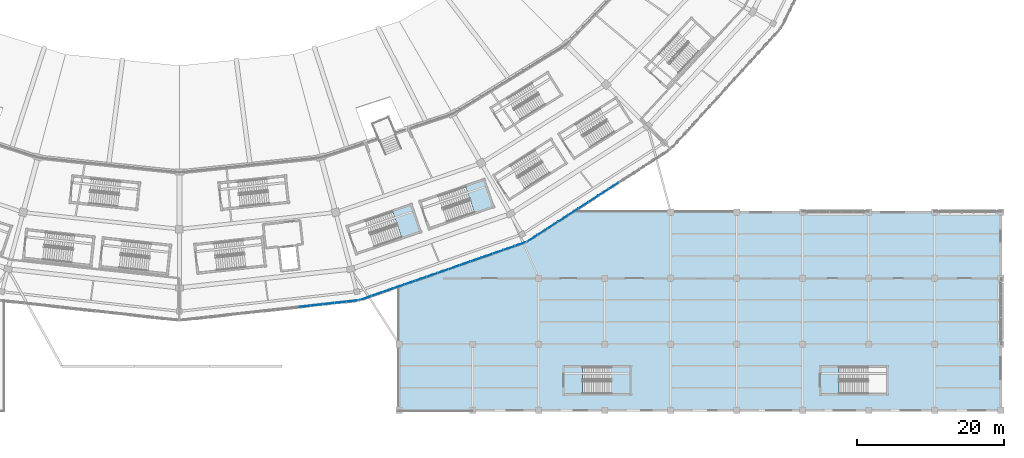
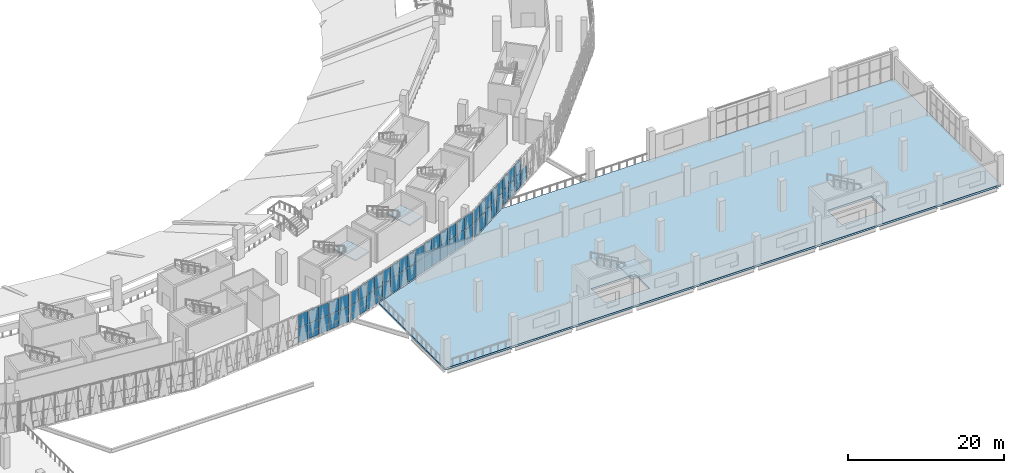
# One storey, part 79 of 183: 57 plates, 4 slabs, 6 elements without a shape of their own.
"""IFC4 building model written with IfcOpenShell, lengths in metres."""

from ifc_helpers import new_model, si_unit, direction, frame, origin, origin_2d, place, context, subcontext, project, spatial, polyline, rectangle, outline, extrude, material, layer, layer_set, type_object, element, aggregate, save


model = new_model("IFC4")

# Units and contexts
model_context = context("Model", 3, precision=1e-05, world=origin(), true_north=direction((0.0, 1.0)))
body_context = subcontext(model_context, "Body", "Model", "MODEL_VIEW")
ifc_project = project(units=[si_unit("LENGTHUNIT", "METRE"), si_unit("AREAUNIT", "SQUARE_METRE"), si_unit("VOLUMEUNIT", "CUBIC_METRE"), si_unit("PLANEANGLEUNIT", "RADIAN"), si_unit("MASSUNIT", "GRAM", prefix="KILO")], contexts=[model_context])

# Site, building, storey
site_placement = place(None, origin())
site = spatial("IfcSite", under=ifc_project, at=site_placement, CompositionType="ELEMENT")
building_placement = place(site_placement, origin())
building = spatial("IfcBuilding", under=site, at=building_placement, Name="Zevraka Park Crest Stadium", CompositionType="ELEMENT")
storey_placement = place(building_placement, frame((0.0, 0.0, 5.39990234375)))
storey = spatial("IfcBuildingStorey", under=building, at=storey_placement, Name="L01", CompositionType="ELEMENT", Elevation=5.39990234375)

# Curtain wall, plates
ifc_material_1 = material(Name="Anodised architectural aluminium and laminated safety glass", Category="aluminium")
curtain_wall_type_1 = type_object("IfcCurtainWallType", Name="CW01", PredefinedType="NOTDEFINED", material=ifc_material_1)
curtain_wall_1_placement = place(storey_placement, origin())
curtain_wall_1 = element("IfcCurtainWall", 1, at=curtain_wall_1_placement, inside=storey, type_object=curtain_wall_type_1, Name="Unitised Ring Curtain Wall CW01 L01-18", PredefinedType="NOTDEFINED")
ifc_material_2 = material(Name="Solar-control laminated double glazing", Category="glass")
ifc_layer_1 = layer(ifc_material_2, 0.028076171875)
ifc_layer_set_1 = layer_set([ifc_layer_1], Name="Solar-control laminated double glazing")
plate_type_1 = type_object("IfcPlateType", Name="CP01", PredefinedType="CURTAIN_PANEL", material=ifc_layer_set_1)
plate_1_placement = place(storey_placement, frame((129.110595703125, 14.176513671875, 0.06005859375), z_axis=(0.0, 0.0, 1.0), x_axis=(0.993916668414, 0.110134718639, 0.0)))
plate_1 = element("IfcPlate", 2, at=plate_1_placement, type_object=plate_type_1, Name="CW01 panel 11.1", PredefinedType="CURTAIN_PANEL", context=body_context, shape_type="SweptSolid", body=[
    extrude(rectangle(XDim=1.567138671875, YDim=0.028076171875, at=origin_2d()), origin(), (0.0, 0.0, 1.0), 2.31005859375),
])
plate_2_placement = place(storey_placement, frame((129.110595703125, 14.176513671875, 2.43017578125), z_axis=(0.0, 0.0, 1.0), x_axis=(0.993916668414, 0.110134718639, 0.0)))
plate_2 = element("IfcPlate", 3, at=plate_2_placement, type_object=plate_type_1, Name="CW01 panel 11.2", PredefinedType="CURTAIN_PANEL", context=body_context, shape_type="SweptSolid", body=[
    extrude(rectangle(XDim=1.567138671875, YDim=0.028076171875, at=origin_2d()), origin(), (0.0, 0.0, 1.0), 2.030029296875),
])
plate_3_placement = place(storey_placement, frame((130.727783203125, 14.355712890625, 0.06005859375), z_axis=(0.0, 0.0, 1.0), x_axis=(0.993916668414, 0.110134718639, 0.0)))
plate_3 = element("IfcPlate", 4, at=plate_3_placement, type_object=plate_type_1, Name="CW01 panel 12.1", PredefinedType="CURTAIN_PANEL", context=body_context, shape_type="SweptSolid", body=[
    extrude(rectangle(XDim=1.567138671875, YDim=0.028076171875, at=origin_2d()), origin(), (0.0, 0.0, 1.0), 2.31005859375),
])
plate_4_placement = place(storey_placement, frame((130.727783203125, 14.355712890625, 2.43017578125), z_axis=(0.0, 0.0, 1.0), x_axis=(0.993916668414, 0.110134718639, 0.0)))
plate_4 = element("IfcPlate", 5, at=plate_4_placement, type_object=plate_type_1, Name="CW01 panel 12.2", PredefinedType="CURTAIN_PANEL", context=body_context, shape_type="SweptSolid", body=[
    extrude(rectangle(XDim=1.567138671875, YDim=0.028076171875, at=origin_2d()), origin(), (0.0, 0.0, 1.0), 2.030029296875),
])
plate_5_placement = place(storey_placement, frame((132.344970703125, 14.534912109375, 0.06005859375), z_axis=(0.0, 0.0, 1.0), x_axis=(0.993916668414, 0.110134718639, 0.0)))
plate_5 = element("IfcPlate", 6, at=plate_5_placement, type_object=plate_type_1, Name="CW01 panel 13.1", PredefinedType="CURTAIN_PANEL", context=body_context, shape_type="SweptSolid", body=[
    extrude(rectangle(XDim=1.567138671875, YDim=0.028076171875, at=origin_2d()), origin(), (0.0, 0.0, 1.0), 2.31005859375),
])
plate_6_placement = place(storey_placement, frame((132.344970703125, 14.534912109375, 2.43017578125), z_axis=(0.0, 0.0, 1.0), x_axis=(0.993916668414, 0.110134718639, 0.0)))
plate_6 = element("IfcPlate", 7, at=plate_6_placement, type_object=plate_type_1, Name="CW01 panel 13.2", PredefinedType="CURTAIN_PANEL", context=body_context, shape_type="SweptSolid", body=[
    extrude(rectangle(XDim=1.567138671875, YDim=0.028076171875, at=origin_2d()), origin(), (0.0, 0.0, 1.0), 2.030029296875),
])
plate_7_placement = place(storey_placement, frame((133.962158203125, 14.714111328125, 0.06005859375), z_axis=(0.0, 0.0, 1.0), x_axis=(0.993916668414, 0.110134718639, 0.0)))
plate_7 = element("IfcPlate", 8, at=plate_7_placement, type_object=plate_type_1, Name="CW01 panel 14.1", PredefinedType="CURTAIN_PANEL", context=body_context, shape_type="SweptSolid", body=[
    extrude(rectangle(XDim=1.567138671875, YDim=0.028076171875, at=origin_2d()), origin(), (0.0, 0.0, 1.0), 2.31005859375),
])
plate_8_placement = place(storey_placement, frame((133.962158203125, 14.714111328125, 2.43017578125), z_axis=(0.0, 0.0, 1.0), x_axis=(0.993916668414, 0.110134718639, 0.0)))
plate_8 = element("IfcPlate", 9, at=plate_8_placement, type_object=plate_type_1, Name="CW01 panel 14.2", PredefinedType="CURTAIN_PANEL", context=body_context, shape_type="SweptSolid", body=[
    extrude(rectangle(XDim=1.567138671875, YDim=0.028076171875, at=origin_2d()), origin(), (0.0, 0.0, 1.0), 2.030029296875),
])
plate_9_placement = place(storey_placement, frame((135.564453125, 14.891845703125, 0.06005859375), z_axis=(0.0, 0.0, 1.0), x_axis=(0.993916668414, 0.110134718639, 0.0)))
plate_9 = element("IfcPlate", 10, at=plate_9_placement, type_object=plate_type_1, Name="CW01 panel 15.1", PredefinedType="CURTAIN_PANEL", context=body_context, shape_type="SweptSolid", body=[
    extrude(rectangle(XDim=1.537109375, YDim=0.028076171875, at=origin_2d()), origin(), (0.0, 0.0, 1.0), 2.31005859375),
])
plate_10_placement = place(storey_placement, frame((135.564453125, 14.891845703125, 2.43017578125), z_axis=(0.0, 0.0, 1.0), x_axis=(0.993916668414, 0.110134718639, 0.0)))
plate_10 = element("IfcPlate", 11, at=plate_10_placement, type_object=plate_type_1, Name="CW01 panel 15.2", PredefinedType="CURTAIN_PANEL", context=body_context, shape_type="SweptSolid", body=[
    extrude(rectangle(XDim=1.537109375, YDim=0.028076171875, at=origin_2d()), origin(), (0.0, 0.0, 1.0), 2.030029296875),
])
aggregate(curtain_wall_1, [plate_1, plate_2, plate_3, plate_4, plate_5, plate_6, plate_7, plate_8, plate_9, plate_10])

ifc_material_3 = material(Name="Anodised architectural aluminium and laminated safety glass", Category="aluminium")
curtain_wall_type_2 = type_object("IfcCurtainWallType", Name="CW02", PredefinedType="NOTDEFINED", material=ifc_material_3)
curtain_wall_2_placement = place(storey_placement, origin())
curtain_wall_2 = element("IfcCurtainWall", 12, at=curtain_wall_2_placement, inside=storey, type_object=curtain_wall_type_2, Name="Unitised Ring Curtain Wall CW02 L01-19", PredefinedType="NOTDEFINED")
ifc_material_4 = material(Name="Solar-control laminated double glazing", Category="glass")
ifc_layer_2 = layer(ifc_material_4, 0.028076171875)
ifc_layer_set_2 = layer_set([ifc_layer_2], Name="Solar-control laminated double glazing")
plate_type_2 = type_object("IfcPlateType", Name="CP02", PredefinedType="CURTAIN_PANEL", material=ifc_layer_set_2)
plate_11_placement = place(storey_placement, frame((137.41064453125, 15.30908203125, 0.06494140625), z_axis=(0.0, 0.0, 1.0), x_axis=(0.944256979565, 0.329209289879, 0.0)))
plate_11 = element("IfcPlate", 13, at=plate_11_placement, type_object=plate_type_2, Name="CW02 panel 1.1", PredefinedType="CURTAIN_PANEL", context=body_context, shape_type="SweptSolid", body=[
    extrude(rectangle(XDim=1.498046875, YDim=0.028076171875, at=origin_2d()), origin(), (0.0, 0.0, 1.0), 2.302490234375),
])
plate_12_placement = place(storey_placement, frame((137.41064453125, 15.30908203125, 2.4326171875), z_axis=(0.0, 0.0, 1.0), x_axis=(0.944256979565, 0.329209289879, 0.0)))
plate_12 = element("IfcPlate", 14, at=plate_12_placement, type_object=plate_type_2, Name="CW02 panel 1.2", PredefinedType="CURTAIN_PANEL", context=body_context, shape_type="SweptSolid", body=[
    extrude(rectangle(XDim=1.498046875, YDim=0.028076171875, at=origin_2d()), origin(), (0.0, 0.0, 1.0), 2.0224609375),
])
plate_13_placement = place(storey_placement, frame((138.90185546875, 15.828857421875, 0.06494140625), z_axis=(0.0, 0.0, 1.0), x_axis=(0.944256979565, 0.329209289879, 0.0)))
plate_13 = element("IfcPlate", 15, at=plate_13_placement, type_object=plate_type_2, Name="CW02 panel 2.1", PredefinedType="CURTAIN_PANEL", context=body_context, shape_type="SweptSolid", body=[
    extrude(rectangle(XDim=1.530517578125, YDim=0.028076171875, at=origin_2d()), origin(), (0.0, 0.0, 1.0), 2.302490234375),
])
plate_14_placement = place(storey_placement, frame((138.90185546875, 15.828857421875, 2.4326171875), z_axis=(0.0, 0.0, 1.0), x_axis=(0.944256979565, 0.329209289879, 0.0)))
plate_14 = element("IfcPlate", 16, at=plate_14_placement, type_object=plate_type_2, Name="CW02 panel 2.2", PredefinedType="CURTAIN_PANEL", context=body_context, shape_type="SweptSolid", body=[
    extrude(rectangle(XDim=1.530517578125, YDim=0.028076171875, at=origin_2d()), origin(), (0.0, 0.0, 1.0), 2.0224609375),
])
plate_15_placement = place(storey_placement, frame((140.408447265625, 16.354248046875, 0.06494140625), z_axis=(0.0, 0.0, 1.0), x_axis=(0.944256979565, 0.329209289879, 0.0)))
plate_15 = element("IfcPlate", 17, at=plate_15_placement, type_object=plate_type_2, Name="CW02 panel 3.1", PredefinedType="CURTAIN_PANEL", context=body_context, shape_type="SweptSolid", body=[
    extrude(rectangle(XDim=1.530517578125, YDim=0.028076171875, at=origin_2d()), origin(), (0.0, 0.0, 1.0), 2.302490234375),
])
plate_16_placement = place(storey_placement, frame((140.408447265625, 16.354248046875, 2.4326171875), z_axis=(0.0, 0.0, 1.0), x_axis=(0.944256979565, 0.329209289879, 0.0)))
plate_16 = element("IfcPlate", 18, at=plate_16_placement, type_object=plate_type_2, Name="CW02 panel 3.2", PredefinedType="CURTAIN_PANEL", context=body_context, shape_type="SweptSolid", body=[
    extrude(rectangle(XDim=1.530517578125, YDim=0.028076171875, at=origin_2d()), origin(), (0.0, 0.0, 1.0), 2.0224609375),
])
plate_17_placement = place(storey_placement, frame((141.9150390625, 16.87939453125, 0.06494140625), z_axis=(0.0, 0.0, 1.0), x_axis=(0.944256979565, 0.329209289879, 0.0)))
plate_17 = element("IfcPlate", 19, at=plate_17_placement, type_object=plate_type_2, Name="CW02 panel 4.1", PredefinedType="CURTAIN_PANEL", context=body_context, shape_type="SweptSolid", body=[
    extrude(rectangle(XDim=1.530517578125, YDim=0.028076171875, at=origin_2d()), origin(), (0.0, 0.0, 1.0), 2.302490234375),
])
plate_18_placement = place(storey_placement, frame((141.9150390625, 16.87939453125, 2.4326171875), z_axis=(0.0, 0.0, 1.0), x_axis=(0.944256979565, 0.329209289879, 0.0)))
plate_18 = element("IfcPlate", 20, at=plate_18_placement, type_object=plate_type_2, Name="CW02 panel 4.2", PredefinedType="CURTAIN_PANEL", context=body_context, shape_type="SweptSolid", body=[
    extrude(rectangle(XDim=1.530517578125, YDim=0.028076171875, at=origin_2d()), origin(), (0.0, 0.0, 1.0), 2.0224609375),
])
plate_19_placement = place(storey_placement, frame((143.421630859375, 17.40478515625, 0.06494140625), z_axis=(0.0, 0.0, 1.0), x_axis=(0.944256979565, 0.329209289879, 0.0)))
plate_19 = element("IfcPlate", 21, at=plate_19_placement, type_object=plate_type_2, Name="CW02 panel 5.1", PredefinedType="CURTAIN_PANEL", context=body_context, shape_type="SweptSolid", body=[
    extrude(rectangle(XDim=1.530517578125, YDim=0.028076171875, at=origin_2d()), origin(), (0.0, 0.0, 1.0), 2.302490234375),
])
plate_20_placement = place(storey_placement, frame((143.421630859375, 17.40478515625, 2.4326171875), z_axis=(0.0, 0.0, 1.0), x_axis=(0.944256979565, 0.329209289879, 0.0)))
plate_20 = element("IfcPlate", 22, at=plate_20_placement, type_object=plate_type_2, Name="CW02 panel 5.2", PredefinedType="CURTAIN_PANEL", context=body_context, shape_type="SweptSolid", body=[
    extrude(rectangle(XDim=1.530517578125, YDim=0.028076171875, at=origin_2d()), origin(), (0.0, 0.0, 1.0), 2.0224609375),
])
plate_21_placement = place(storey_placement, frame((144.92822265625, 17.929931640625, 0.06494140625), z_axis=(0.0, 0.0, 1.0), x_axis=(0.944256979565, 0.329209289879, 0.0)))
plate_21 = element("IfcPlate", 23, at=plate_21_placement, type_object=plate_type_2, Name="CW02 panel 6.1", PredefinedType="CURTAIN_PANEL", context=body_context, shape_type="SweptSolid", body=[
    extrude(rectangle(XDim=1.530517578125, YDim=0.028076171875, at=origin_2d()), origin(), (0.0, 0.0, 1.0), 2.302490234375),
])
plate_22_placement = place(storey_placement, frame((144.92822265625, 17.929931640625, 2.4326171875), z_axis=(0.0, 0.0, 1.0), x_axis=(0.944256979565, 0.329209289879, 0.0)))
plate_22 = element("IfcPlate", 24, at=plate_22_placement, type_object=plate_type_2, Name="CW02 panel 6.2", PredefinedType="CURTAIN_PANEL", context=body_context, shape_type="SweptSolid", body=[
    extrude(rectangle(XDim=1.530517578125, YDim=0.028076171875, at=origin_2d()), origin(), (0.0, 0.0, 1.0), 2.0224609375),
])
plate_23_placement = place(storey_placement, frame((146.434814453125, 18.455322265625, 0.06494140625), z_axis=(0.0, 0.0, 1.0), x_axis=(0.944256979565, 0.329209289879, 0.0)))
plate_23 = element("IfcPlate", 25, at=plate_23_placement, type_object=plate_type_2, Name="CW02 panel 7.1", PredefinedType="CURTAIN_PANEL", context=body_context, shape_type="SweptSolid", body=[
    extrude(rectangle(XDim=1.530517578125, YDim=0.028076171875, at=origin_2d()), origin(), (0.0, 0.0, 1.0), 2.302490234375),
])
plate_24_placement = place(storey_placement, frame((146.434814453125, 18.455322265625, 2.4326171875), z_axis=(0.0, 0.0, 1.0), x_axis=(0.944256979565, 0.329209289879, 0.0)))
plate_24 = element("IfcPlate", 26, at=plate_24_placement, type_object=plate_type_2, Name="CW02 panel 7.2", PredefinedType="CURTAIN_PANEL", context=body_context, shape_type="SweptSolid", body=[
    extrude(rectangle(XDim=1.530517578125, YDim=0.028076171875, at=origin_2d()), origin(), (0.0, 0.0, 1.0), 2.0224609375),
])
plate_25_placement = place(storey_placement, frame((147.94140625, 18.98046875, 0.06494140625), z_axis=(0.0, 0.0, 1.0), x_axis=(0.944256979565, 0.329209289879, 0.0)))
plate_25 = element("IfcPlate", 27, at=plate_25_placement, type_object=plate_type_2, Name="CW02 panel 8.1", PredefinedType="CURTAIN_PANEL", context=body_context, shape_type="SweptSolid", body=[
    extrude(rectangle(XDim=1.530517578125, YDim=0.028076171875, at=origin_2d()), origin(), (0.0, 0.0, 1.0), 2.302490234375),
])
plate_26_placement = place(storey_placement, frame((147.94140625, 18.98046875, 2.4326171875), z_axis=(0.0, 0.0, 1.0), x_axis=(0.944256979565, 0.329209289879, 0.0)))
plate_26 = element("IfcPlate", 28, at=plate_26_placement, type_object=plate_type_2, Name="CW02 panel 8.2", PredefinedType="CURTAIN_PANEL", context=body_context, shape_type="SweptSolid", body=[
    extrude(rectangle(XDim=1.530517578125, YDim=0.028076171875, at=origin_2d()), origin(), (0.0, 0.0, 1.0), 2.0224609375),
])
plate_27_placement = place(storey_placement, frame((149.447998046875, 19.505859375, 0.06494140625), z_axis=(0.0, 0.0, 1.0), x_axis=(0.944256979565, 0.329209289879, 0.0)))
plate_27 = element("IfcPlate", 29, at=plate_27_placement, type_object=plate_type_2, Name="CW02 panel 9.1", PredefinedType="CURTAIN_PANEL", context=body_context, shape_type="SweptSolid", body=[
    extrude(rectangle(XDim=1.530517578125, YDim=0.028076171875, at=origin_2d()), origin(), (0.0, 0.0, 1.0), 2.302490234375),
])
plate_28_placement = place(storey_placement, frame((149.447998046875, 19.505859375, 2.4326171875), z_axis=(0.0, 0.0, 1.0), x_axis=(0.944256979565, 0.329209289879, 0.0)))
plate_28 = element("IfcPlate", 30, at=plate_28_placement, type_object=plate_type_2, Name="CW02 panel 9.2", PredefinedType="CURTAIN_PANEL", context=body_context, shape_type="SweptSolid", body=[
    extrude(rectangle(XDim=1.530517578125, YDim=0.028076171875, at=origin_2d()), origin(), (0.0, 0.0, 1.0), 2.0224609375),
])
plate_29_placement = place(storey_placement, frame((150.95458984375, 20.031005859375, 0.06494140625), z_axis=(0.0, 0.0, 1.0), x_axis=(0.944256979565, 0.329209289879, 0.0)))
plate_29 = element("IfcPlate", 31, at=plate_29_placement, type_object=plate_type_2, Name="CW02 panel 10.1", PredefinedType="CURTAIN_PANEL", context=body_context, shape_type="SweptSolid", body=[
    extrude(rectangle(XDim=1.530517578125, YDim=0.028076171875, at=origin_2d()), origin(), (0.0, 0.0, 1.0), 2.302490234375),
])
plate_30_placement = place(storey_placement, frame((150.95458984375, 20.031005859375, 2.4326171875), z_axis=(0.0, 0.0, 1.0), x_axis=(0.944256979565, 0.329209289879, 0.0)))
plate_30 = element("IfcPlate", 32, at=plate_30_placement, type_object=plate_type_2, Name="CW02 panel 10.2", PredefinedType="CURTAIN_PANEL", context=body_context, shape_type="SweptSolid", body=[
    extrude(rectangle(XDim=1.530517578125, YDim=0.028076171875, at=origin_2d()), origin(), (0.0, 0.0, 1.0), 2.0224609375),
])
plate_31_placement = place(storey_placement, frame((152.461181640625, 20.556396484375, 0.06494140625), z_axis=(0.0, 0.0, 1.0), x_axis=(0.944256979565, 0.329209289879, 0.0)))
plate_31 = element("IfcPlate", 33, at=plate_31_placement, type_object=plate_type_2, Name="CW02 panel 11.1", PredefinedType="CURTAIN_PANEL", context=body_context, shape_type="SweptSolid", body=[
    extrude(rectangle(XDim=1.530517578125, YDim=0.028076171875, at=origin_2d()), origin(), (0.0, 0.0, 1.0), 2.302490234375),
])
plate_32_placement = place(storey_placement, frame((152.461181640625, 20.556396484375, 2.4326171875), z_axis=(0.0, 0.0, 1.0), x_axis=(0.944256979565, 0.329209289879, 0.0)))
plate_32 = element("IfcPlate", 34, at=plate_32_placement, type_object=plate_type_2, Name="CW02 panel 11.2", PredefinedType="CURTAIN_PANEL", context=body_context, shape_type="SweptSolid", body=[
    extrude(rectangle(XDim=1.530517578125, YDim=0.028076171875, at=origin_2d()), origin(), (0.0, 0.0, 1.0), 2.0224609375),
])
plate_33_placement = place(storey_placement, frame((153.968017578125, 21.08154296875, 0.06494140625), z_axis=(0.0, 0.0, 1.0), x_axis=(0.944256979565, 0.329209289879, 0.0)))
plate_33 = element("IfcPlate", 35, at=plate_33_placement, type_object=plate_type_2, Name="CW02 panel 12.1", PredefinedType="CURTAIN_PANEL", context=body_context, shape_type="SweptSolid", body=[
    extrude(rectangle(XDim=1.530517578125, YDim=0.028076171875, at=origin_2d()), origin(), (0.0, 0.0, 1.0), 2.302490234375),
])
plate_34_placement = place(storey_placement, frame((153.968017578125, 21.08154296875, 2.4326171875), z_axis=(0.0, 0.0, 1.0), x_axis=(0.944256979565, 0.329209289879, 0.0)))
plate_34 = element("IfcPlate", 36, at=plate_34_placement, type_object=plate_type_2, Name="CW02 panel 12.2", PredefinedType="CURTAIN_PANEL", context=body_context, shape_type="SweptSolid", body=[
    extrude(rectangle(XDim=1.530517578125, YDim=0.028076171875, at=origin_2d()), origin(), (0.0, 0.0, 1.0), 2.0224609375),
])
plate_35_placement = place(storey_placement, frame((155.474609375, 21.60693359375, 0.06494140625), z_axis=(0.0, 0.0, 1.0), x_axis=(0.944256979565, 0.329209289879, 0.0)))
plate_35 = element("IfcPlate", 37, at=plate_35_placement, type_object=plate_type_2, Name="CW02 panel 13.1", PredefinedType="CURTAIN_PANEL", context=body_context, shape_type="SweptSolid", body=[
    extrude(rectangle(XDim=1.530517578125, YDim=0.028076171875, at=origin_2d()), origin(), (0.0, 0.0, 1.0), 2.302490234375),
])
plate_36_placement = place(storey_placement, frame((155.474609375, 21.60693359375, 2.4326171875), z_axis=(0.0, 0.0, 1.0), x_axis=(0.944256979565, 0.329209289879, 0.0)))
plate_36 = element("IfcPlate", 38, at=plate_36_placement, type_object=plate_type_2, Name="CW02 panel 13.2", PredefinedType="CURTAIN_PANEL", context=body_context, shape_type="SweptSolid", body=[
    extrude(rectangle(XDim=1.530517578125, YDim=0.028076171875, at=origin_2d()), origin(), (0.0, 0.0, 1.0), 2.0224609375),
])
plate_37_placement = place(storey_placement, frame((156.981201171875, 22.132080078125, 0.06494140625), z_axis=(0.0, 0.0, 1.0), x_axis=(0.944256979565, 0.329209289879, 0.0)))
plate_37 = element("IfcPlate", 39, at=plate_37_placement, type_object=plate_type_2, Name="CW02 panel 14.1", PredefinedType="CURTAIN_PANEL", context=body_context, shape_type="SweptSolid", body=[
    extrude(rectangle(XDim=1.530517578125, YDim=0.028076171875, at=origin_2d()), origin(), (0.0, 0.0, 1.0), 2.302490234375),
])
plate_38_placement = place(storey_placement, frame((156.981201171875, 22.132080078125, 2.4326171875), z_axis=(0.0, 0.0, 1.0), x_axis=(0.944256979565, 0.329209289879, 0.0)))
plate_38 = element("IfcPlate", 40, at=plate_38_placement, type_object=plate_type_2, Name="CW02 panel 14.2", PredefinedType="CURTAIN_PANEL", context=body_context, shape_type="SweptSolid", body=[
    extrude(rectangle(XDim=1.530517578125, YDim=0.028076171875, at=origin_2d()), origin(), (0.0, 0.0, 1.0), 2.0224609375),
])
plate_39_placement = place(storey_placement, frame((158.472412109375, 22.652099609375, 0.06494140625), z_axis=(0.0, 0.0, 1.0), x_axis=(0.944256979565, 0.329209289879, 0.0)))
plate_39 = element("IfcPlate", 41, at=plate_39_placement, type_object=plate_type_2, Name="CW02 panel 15.1", PredefinedType="CURTAIN_PANEL", context=body_context, shape_type="SweptSolid", body=[
    extrude(rectangle(XDim=1.498046875, YDim=0.028076171875, at=origin_2d()), origin(), (0.0, 0.0, 1.0), 2.302490234375),
])
plate_40_placement = place(storey_placement, frame((158.472412109375, 22.652099609375, 2.4326171875), z_axis=(0.0, 0.0, 1.0), x_axis=(0.944256979565, 0.329209289879, 0.0)))
plate_40 = element("IfcPlate", 42, at=plate_40_placement, type_object=plate_type_2, Name="CW02 panel 15.2", PredefinedType="CURTAIN_PANEL", context=body_context, shape_type="SweptSolid", body=[
    extrude(rectangle(XDim=1.498046875, YDim=0.028076171875, at=origin_2d()), origin(), (0.0, 0.0, 1.0), 2.0224609375),
])
aggregate(curtain_wall_2, [plate_11, plate_12, plate_13, plate_14, plate_15, plate_16, plate_17, plate_18, plate_19, plate_20, plate_21, plate_22, plate_23, plate_24, plate_25, plate_26, plate_27, plate_28, plate_29, plate_30, plate_31, plate_32, plate_33, plate_34, plate_35, plate_36, plate_37, plate_38, plate_39, plate_40])

ifc_material_5 = material(Name="Anodised architectural aluminium and laminated safety glass", Category="aluminium")
curtain_wall_type_3 = type_object("IfcCurtainWallType", Name="CW03", PredefinedType="NOTDEFINED", material=ifc_material_5)
curtain_wall_3_placement = place(storey_placement, origin())
curtain_wall_3 = element("IfcCurtainWall", 43, at=curtain_wall_3_placement, inside=storey, type_object=curtain_wall_type_3, Name="Unitised Ring Curtain Wall CW03 L01-20", PredefinedType="NOTDEFINED")
ifc_material_6 = material(Name="Solar-control laminated double glazing", Category="glass")
ifc_layer_3 = layer(ifc_material_6, 0.028076171875)
ifc_layer_set_3 = layer_set([ifc_layer_3], Name="Solar-control laminated double glazing")
plate_type_3 = type_object("IfcPlateType", Name="CP03", PredefinedType="CURTAIN_PANEL", material=ifc_layer_set_3)
plate_41_placement = place(storey_placement, frame((160.181640625, 23.490966796875, 0.070068359375), z_axis=(0.0, 0.0, 1.0), x_axis=(0.840010186018, 0.542570628938, 0.0)))
plate_41 = element("IfcPlate", 44, at=plate_41_placement, type_object=plate_type_3, Name="CW03 panel 1.1", PredefinedType="CURTAIN_PANEL", context=body_context, shape_type="SweptSolid", body=[
    extrude(rectangle(XDim=1.54443359375, YDim=0.028076171875, at=origin_2d()), origin(), (0.0, 0.0, 1.0), 2.294921875),
])
plate_42_placement = place(storey_placement, frame((160.181640625, 23.490966796875, 2.43505859375), z_axis=(0.0, 0.0, 1.0), x_axis=(0.840010186018, 0.542570628938, 0.0)))
plate_42 = element("IfcPlate", 45, at=plate_42_placement, type_object=plate_type_3, Name="CW03 panel 1.2", PredefinedType="CURTAIN_PANEL", context=body_context, shape_type="SweptSolid", body=[
    extrude(rectangle(XDim=1.54443359375, YDim=0.028076171875, at=origin_2d()), origin(), (0.0, 0.0, 1.0), 2.014892578125),
])
plate_43_placement = place(storey_placement, frame((161.552490234375, 24.37646484375, 0.070068359375), z_axis=(0.0, 0.0, 1.0), x_axis=(0.840010186018, 0.542570628938, 0.0)))
plate_43 = element("IfcPlate", 46, at=plate_43_placement, type_object=plate_type_3, Name="CW03 panel 2.1", PredefinedType="CURTAIN_PANEL", context=body_context, shape_type="SweptSolid", body=[
    extrude(rectangle(XDim=1.57958984375, YDim=0.028076171875, at=origin_2d()), origin(), (0.0, 0.0, 1.0), 2.294921875),
])
plate_44_placement = place(storey_placement, frame((161.552490234375, 24.37646484375, 2.43505859375), z_axis=(0.0, 0.0, 1.0), x_axis=(0.840010186018, 0.542570628938, 0.0)))
plate_44 = element("IfcPlate", 47, at=plate_44_placement, type_object=plate_type_3, Name="CW03 panel 2.2", PredefinedType="CURTAIN_PANEL", context=body_context, shape_type="SweptSolid", body=[
    extrude(rectangle(XDim=1.57958984375, YDim=0.028076171875, at=origin_2d()), origin(), (0.0, 0.0, 1.0), 2.014892578125),
])
plate_45_placement = place(storey_placement, frame((162.93798828125, 25.271484375, 0.070068359375), z_axis=(0.0, 0.0, 1.0), x_axis=(0.840010186018, 0.542570628938, 0.0)))
plate_45 = element("IfcPlate", 48, at=plate_45_placement, type_object=plate_type_3, Name="CW03 panel 3.1", PredefinedType="CURTAIN_PANEL", context=body_context, shape_type="SweptSolid", body=[
    extrude(rectangle(XDim=1.57958984375, YDim=0.028076171875, at=origin_2d()), origin(), (0.0, 0.0, 1.0), 2.294921875),
])
plate_46_placement = place(storey_placement, frame((162.93798828125, 25.271484375, 2.43505859375), z_axis=(0.0, 0.0, 1.0), x_axis=(0.840010186018, 0.542570628938, 0.0)))
plate_46 = element("IfcPlate", 49, at=plate_46_placement, type_object=plate_type_3, Name="CW03 panel 3.2", PredefinedType="CURTAIN_PANEL", context=body_context, shape_type="SweptSolid", body=[
    extrude(rectangle(XDim=1.57958984375, YDim=0.028076171875, at=origin_2d()), origin(), (0.0, 0.0, 1.0), 2.014892578125),
])
plate_47_placement = place(storey_placement, frame((164.32373046875, 26.16650390625, 0.070068359375), z_axis=(0.0, 0.0, 1.0), x_axis=(0.840010186018, 0.542570628938, 0.0)))
plate_47 = element("IfcPlate", 50, at=plate_47_placement, type_object=plate_type_3, Name="CW03 panel 4.1", PredefinedType="CURTAIN_PANEL", context=body_context, shape_type="SweptSolid", body=[
    extrude(rectangle(XDim=1.57958984375, YDim=0.028076171875, at=origin_2d()), origin(), (0.0, 0.0, 1.0), 2.294921875),
])
plate_48_placement = place(storey_placement, frame((164.32373046875, 26.16650390625, 2.43505859375), z_axis=(0.0, 0.0, 1.0), x_axis=(0.840010186018, 0.542570628938, 0.0)))
plate_48 = element("IfcPlate", 51, at=plate_48_placement, type_object=plate_type_3, Name="CW03 panel 4.2", PredefinedType="CURTAIN_PANEL", context=body_context, shape_type="SweptSolid", body=[
    extrude(rectangle(XDim=1.57958984375, YDim=0.028076171875, at=origin_2d()), origin(), (0.0, 0.0, 1.0), 2.014892578125),
])
plate_49_placement = place(storey_placement, frame((165.70947265625, 27.0615234375, 0.070068359375), z_axis=(0.0, 0.0, 1.0), x_axis=(0.840010186018, 0.542570628938, 0.0)))
plate_49 = element("IfcPlate", 52, at=plate_49_placement, type_object=plate_type_3, Name="CW03 panel 5.1", PredefinedType="CURTAIN_PANEL", context=body_context, shape_type="SweptSolid", body=[
    extrude(rectangle(XDim=1.57958984375, YDim=0.028076171875, at=origin_2d()), origin(), (0.0, 0.0, 1.0), 2.294921875),
])
plate_50_placement = place(storey_placement, frame((165.70947265625, 27.0615234375, 2.43505859375), z_axis=(0.0, 0.0, 1.0), x_axis=(0.840010186018, 0.542570628938, 0.0)))
plate_50 = element("IfcPlate", 53, at=plate_50_placement, type_object=plate_type_3, Name="CW03 panel 5.2", PredefinedType="CURTAIN_PANEL", context=body_context, shape_type="SweptSolid", body=[
    extrude(rectangle(XDim=1.57958984375, YDim=0.028076171875, at=origin_2d()), origin(), (0.0, 0.0, 1.0), 2.014892578125),
])
plate_51_placement = place(storey_placement, frame((167.094970703125, 27.95654296875, 0.070068359375), z_axis=(0.0, 0.0, 1.0), x_axis=(0.840010186018, 0.542570628938, 0.0)))
plate_51 = element("IfcPlate", 54, at=plate_51_placement, type_object=plate_type_3, Name="CW03 panel 6.1", PredefinedType="CURTAIN_PANEL", context=body_context, shape_type="SweptSolid", body=[
    extrude(rectangle(XDim=1.57958984375, YDim=0.028076171875, at=origin_2d()), origin(), (0.0, 0.0, 1.0), 2.294921875),
])
plate_52_placement = place(storey_placement, frame((167.094970703125, 27.95654296875, 2.43505859375), z_axis=(0.0, 0.0, 1.0), x_axis=(0.840010186018, 0.542570628938, 0.0)))
plate_52 = element("IfcPlate", 55, at=plate_52_placement, type_object=plate_type_3, Name="CW03 panel 6.2", PredefinedType="CURTAIN_PANEL", context=body_context, shape_type="SweptSolid", body=[
    extrude(rectangle(XDim=1.57958984375, YDim=0.028076171875, at=origin_2d()), origin(), (0.0, 0.0, 1.0), 2.014892578125),
])
plate_53_placement = place(storey_placement, frame((168.480712890625, 28.8515625, 0.070068359375), z_axis=(0.0, 0.0, 1.0), x_axis=(0.840010186018, 0.542570628938, 0.0)))
plate_53 = element("IfcPlate", 56, at=plate_53_placement, type_object=plate_type_3, Name="CW03 panel 7.1", PredefinedType="CURTAIN_PANEL", context=body_context, shape_type="SweptSolid", body=[
    extrude(rectangle(XDim=1.57958984375, YDim=0.028076171875, at=origin_2d()), origin(), (0.0, 0.0, 1.0), 2.294921875),
])
plate_54_placement = place(storey_placement, frame((168.480712890625, 28.8515625, 2.43505859375), z_axis=(0.0, 0.0, 1.0), x_axis=(0.840010186018, 0.542570628938, 0.0)))
plate_54 = element("IfcPlate", 57, at=plate_54_placement, type_object=plate_type_3, Name="CW03 panel 7.2", PredefinedType="CURTAIN_PANEL", context=body_context, shape_type="SweptSolid", body=[
    extrude(rectangle(XDim=1.57958984375, YDim=0.028076171875, at=origin_2d()), origin(), (0.0, 0.0, 1.0), 2.014892578125),
])
plate_55_placement = place(storey_placement, frame((169.8662109375, 29.74658203125, 0.070068359375), z_axis=(0.0, 0.0, 1.0), x_axis=(0.840010186018, 0.542570628938, 0.0)))
plate_55 = element("IfcPlate", 58, at=plate_55_placement, type_object=plate_type_3, Name="CW03 panel 8.1", PredefinedType="CURTAIN_PANEL", context=body_context, shape_type="SweptSolid", body=[
    extrude(rectangle(XDim=1.57958984375, YDim=0.028076171875, at=origin_2d()), origin(), (0.0, 0.0, 1.0), 2.294921875),
])
plate_56_placement = place(storey_placement, frame((169.8662109375, 29.74658203125, 2.43505859375), z_axis=(0.0, 0.0, 1.0), x_axis=(0.840010186018, 0.542570628938, 0.0)))
plate_56 = element("IfcPlate", 59, at=plate_56_placement, type_object=plate_type_3, Name="CW03 panel 8.2", PredefinedType="CURTAIN_PANEL", context=body_context, shape_type="SweptSolid", body=[
    extrude(rectangle(XDim=1.57958984375, YDim=0.028076171875, at=origin_2d()), origin(), (0.0, 0.0, 1.0), 2.014892578125),
])
plate_57_placement = place(storey_placement, frame((171.251953125, 30.6416015625, 0.070068359375), z_axis=(0.0, 0.0, 1.0), x_axis=(0.840010186018, 0.542570628938, 0.0)))
plate_57 = element("IfcPlate", 60, at=plate_57_placement, type_object=plate_type_3, Name="CW03 panel 9.1", PredefinedType="CURTAIN_PANEL", context=body_context, shape_type="SweptSolid", body=[
    extrude(rectangle(XDim=1.57958984375, YDim=0.028076171875, at=origin_2d()), origin(), (0.0, 0.0, 1.0), 2.294921875),
])
aggregate(curtain_wall_3, [plate_41, plate_42, plate_43, plate_44, plate_45, plate_46, plate_47, plate_48, plate_49, plate_50, plate_51, plate_52, plate_53, plate_54, plate_55, plate_56, plate_57])

# Slab
ifc_material_7 = material(Name="Concrete C35/45", Category="concrete")
ifc_layer_4 = layer(ifc_material_7, 0.300048828125)
ifc_layer_set_4 = layer_set([ifc_layer_4], Name="Concrete C35/45")
slab_type_1 = type_object("IfcSlabType", Name="FS01", PredefinedType="FLOOR", material=ifc_layer_set_4)
slab_1_placement = place(storey_placement, frame((0.0, 0.0, -0.2998046875)))
element("IfcSlab", 61, at=slab_1_placement, inside=storey, type_object=slab_type_1, Name="South Street Broadcast, Press Auditorium and Central Plant Wing Floor Slab L01-2", PredefinedType="FLOOR", context=body_context, shape_type="SweptSolid", body=[
    extrude(outline(polyline([(141.824951171875, -0.175048828125), (141.824951171875, 16.758056640625), (159.402099609375, 22.886962890625), (166.0419921875, 27.175048828125), (224.175048828125, 27.175048828125), (224.175048828125, -0.175048828125), (141.824951171875, -0.175048828125)]), holes=[polyline([(166.97998046875, 2.25), (173.5, 2.25), (173.5, 5.909912109375), (166.97998046875, 5.909912109375), (166.97998046875, 2.25)]), polyline([(201.97998046875, 2.25), (208.5, 2.25), (208.5, 5.909912109375), (201.97998046875, 5.909912109375), (201.97998046875, 2.25)])]), origin(), (0.0, 0.0, 1.0), 0.2998046875),
])

# Stair, slab
ifc_material_8 = material(Name="Concrete C35/45", Category="concrete")
stair_type_1 = type_object("IfcStairType", Name="STA2", PredefinedType="HALF_TURN_STAIR", material=ifc_material_8)
stair_1_placement = place(storey_placement, origin())
stair_1 = element("IfcStair", 62, at=stair_1_placement, inside=storey, type_object=stair_type_1, Name="L01 Protected Concourse Exit Stair ST20", PredefinedType="HALF_TURN_STAIR")
ifc_material_9 = material(Name="Concrete C35/45", Category="concrete")
ifc_layer_5 = layer(ifc_material_9, 0.199951171875)
ifc_layer_set_5 = layer_set([ifc_layer_5], Name="Concrete C35/45")
slab_type_2 = type_object("IfcSlabType", Name="LS01", PredefinedType="LANDING", material=ifc_layer_set_5)
slab_2_placement = place(storey_placement, frame((0.0, 0.0, 2.2001953125)))
slab_2 = element("IfcSlab", 63, at=slab_2_placement, type_object=slab_type_2, Name="ST20 landing 1", PredefinedType="LANDING", context=body_context, shape_type="SweptSolid", body=[
    extrude(outline(polyline([(142.310546875, 23.557373046875), (144.77978515625, 24.403076171875), (143.561767578125, 27.960205078125), (141.092529296875, 27.114501953125), (142.310546875, 23.557373046875)])), origin(), (0.0, 0.0, 1.0), 0.199951171875),
])
aggregate(stair_1, [slab_2])

stair_2_placement = place(storey_placement, origin())
stair_2 = element("IfcStair", 64, at=stair_2_placement, inside=storey, type_object=stair_type_1, Name="L01 Protected Paired Concourse Exit Stair ST31", PredefinedType="HALF_TURN_STAIR")
slab_3_placement = place(storey_placement, frame((0.0, 0.0, 2.2001953125)))
slab_3 = element("IfcSlab", 65, at=slab_3_placement, type_object=slab_type_2, Name="ST31 landing 1", PredefinedType="LANDING", context=body_context, shape_type="SweptSolid", body=[
    extrude(outline(polyline([(152.24462890625, 26.95849609375), (154.7138671875, 27.803955078125), (153.495849609375, 31.361083984375), (151.026611328125, 30.515625), (152.24462890625, 26.95849609375)])), origin(), (0.0, 0.0, 1.0), 0.199951171875),
])
aggregate(stair_2, [slab_3])

ifc_material_10 = material(Name="Concrete C35/45", Category="concrete")
stair_type_2 = type_object("IfcStairType", Name="STC2", PredefinedType="HALF_TURN_STAIR", material=ifc_material_10)
stair_3_placement = place(storey_placement, origin())
stair_3 = element("IfcStair", 66, at=stair_3_placement, inside=storey, type_object=stair_type_2, Name="L01 Southeast Plant Wing West Stair ST53", PredefinedType="HALF_TURN_STAIR")
slab_4_placement = place(storey_placement, frame((0.0, 0.0, 2.2001953125)))
slab_4 = element("IfcSlab", 67, at=slab_4_placement, type_object=slab_type_2, Name="ST53 landing 1", PredefinedType="LANDING", context=body_context, shape_type="SweptSolid", body=[
    extrude(outline(polyline([(170.889892578125, 2.25), (173.5, 2.25), (173.5, 5.909912109375), (170.889892578125, 5.909912109375), (170.889892578125, 2.25)])), origin(), (0.0, 0.0, 1.0), 0.199951171875),
])
aggregate(stair_3, [slab_4])

save(model, "model.ifc")
